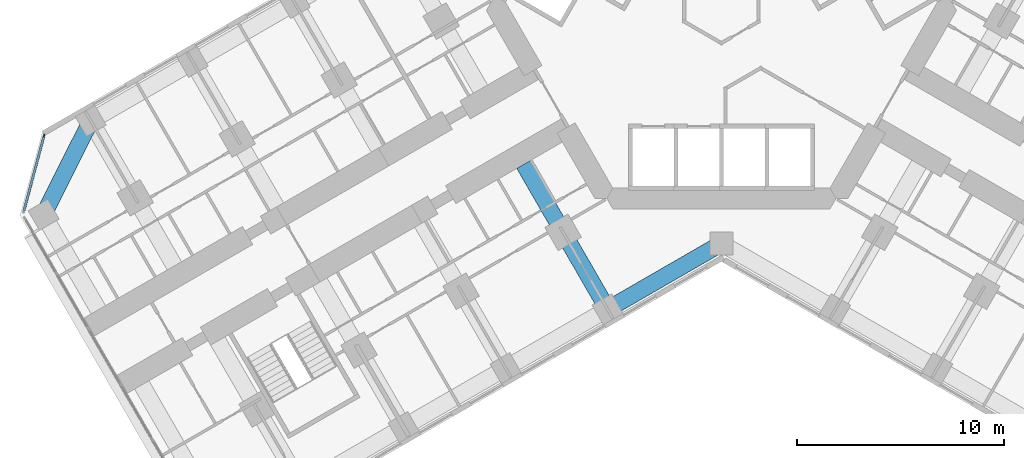
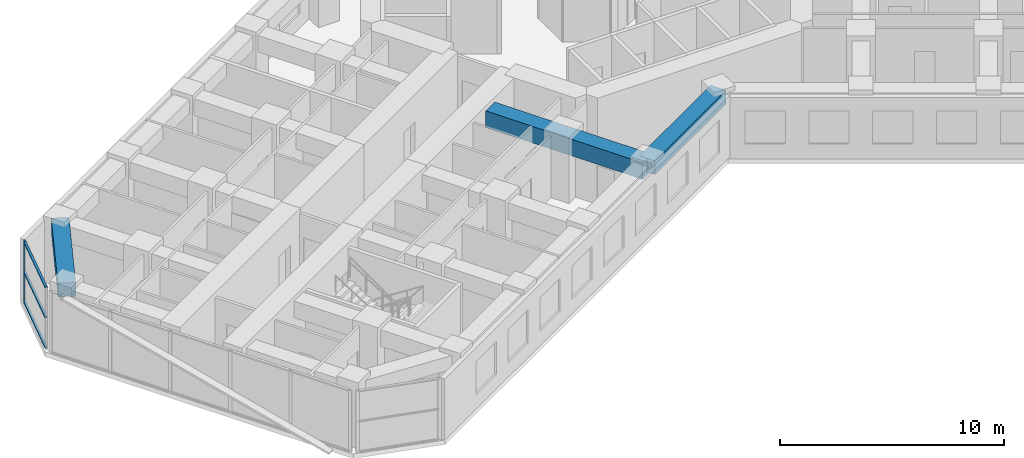
# One storey, part 3 of 21: 4 members, 3 beams, 1 element without a shape of its own.
"""IFC4 building model written with IfcOpenShell, lengths in metres."""

from ifc_helpers import new_model, si_unit, direction, frame, origin, origin_2d, place, context, subcontext, project, spatial, rectangle, extrude, material, material_profile, profile_set, type_object, element, aggregate, save


model = new_model("IFC4")

# Units and contexts
model_context = context("Model", 3, precision=1e-05, world=origin(), true_north=direction((0.0, 1.0)))
body_context = subcontext(model_context, "Body", "Model", "MODEL_VIEW")
ifc_project = project(units=[si_unit("LENGTHUNIT", "METRE"), si_unit("AREAUNIT", "SQUARE_METRE"), si_unit("VOLUMEUNIT", "CUBIC_METRE"), si_unit("PLANEANGLEUNIT", "RADIAN"), si_unit("MASSUNIT", "GRAM", prefix="KILO")], contexts=[model_context])

# Site, building, storey
site_placement = place(None, origin())
site = spatial("IfcSite", under=ifc_project, at=site_placement, CompositionType="ELEMENT")
building_placement = place(site_placement, origin())
building = spatial("IfcBuilding", under=site, at=building_placement, Name="Kosmar Iwan School Tower", CompositionType="ELEMENT")
storey_placement = place(building_placement, frame((0.0, 0.0, 43.0)))
storey = spatial("IfcBuildingStorey", under=building, at=storey_placement, Name="L09", CompositionType="ELEMENT", Elevation=43.0)

# Curtain wall, member
ifc_material_1 = material(Name="Dark glass in black aluminium frame", Category="aluminium")
curtain_wall_type = type_object("IfcCurtainWallType", Name="Chamfer curtain wall dark glass", PredefinedType="USERDEFINED", material=ifc_material_1)
curtain_wall_placement = place(storey_placement, origin())
curtain_wall = element("IfcCurtainWall", 1, at=curtain_wall_placement, inside=storey, type_object=curtain_wall_type, Name="Curtain wall L09-F12", ObjectType="FACETED CURTAIN WALL", PredefinedType="USERDEFINED")
ifc_material_2 = material(Name="Black anodised aluminium", Category="aluminium")
ifc_material_profile_1 = material_profile(ifc_material_2, rectangle(XDim=0.06005859375, YDim=0.159912109375, at=origin_2d()), Name="MULLION 60x160")
ifc_profile_set_1 = profile_set([ifc_material_profile_1], Name="Black anodised aluminium")
member_type_1 = type_object("IfcMemberType", Name="Mullion 60x160", PredefinedType="MULLION", material=ifc_profile_set_1)
member_1_placement = place(storey_placement, frame((-32.78076171875, -6.5732421875, 0.0), z_axis=(0.0, 0.0, 1.0), x_axis=(0.965925875495, -0.258818861462, 0.0)))
member_1 = element("IfcMember", 2, at=member_1_placement, type_object=member_type_1, Name="CW2 mullion 1", PredefinedType="MULLION", context=body_context, shape_type="SweptSolid", body=[
    extrude(rectangle(XDim=0.06005859375, YDim=0.159912109375, at=origin_2d()), origin(), (0.0, 0.0, 1.0), 3.35009765625),
])

# Beams
ifc_material_3 = material(Name="Concrete C50/60", Category="concrete")
ifc_material_profile_2 = material_profile(ifc_material_3, rectangle(XDim=0.800048828125, YDim=0.75, at=origin_2d()), Name="RC 800x750")
ifc_profile_set_2 = profile_set([ifc_material_profile_2], Name="Concrete C50/60")
beam_type_1 = type_object("IfcBeamType", Name="RC edge beam 800x750", PredefinedType="BEAM", material=ifc_profile_set_2)
beam_1_placement = place(storey_placement, frame((0.0, -11.77783203125, 2.97509765625), z_axis=(-0.866014293216, -0.500019243575, 0.0), x_axis=(0.500019243575, -0.866014293216, 0.0)))
element("IfcBeam", 3, at=beam_1_placement, inside=storey, type_object=beam_type_1, Name="Edge beam BL1", PredefinedType="BEAM", context=body_context, shape_type="SweptSolid", body=[
    extrude(rectangle(XDim=0.800048828125, YDim=0.75, at=origin_2d()), origin(), (0.0, 0.0, 1.0), 6.361083984375),
])
ifc_material_4 = material(Name="Concrete C50/60", Category="concrete")
ifc_material_profile_3 = material_profile(ifc_material_4, rectangle(XDim=0.800048828125, YDim=0.75, at=origin_2d()), Name="RC 800x750")
ifc_profile_set_3 = profile_set([ifc_material_profile_3], Name="Concrete C50/60")
beam_type_2 = type_object("IfcBeamType", Name="RC tip beam 800x750", PredefinedType="BEAM", material=ifc_profile_set_3)
beam_2_placement = place(storey_placement, frame((-30.517822265625, -5.841552734375, 2.97509765625), z_axis=(-0.44809604203, -0.893985423325, 0.0), x_axis=(0.893985423325, -0.44809604203, 0.0)))
element("IfcBeam", 4, at=beam_2_placement, inside=storey, type_object=beam_type_2, Name="Tip beam BR", PredefinedType="BEAM", context=body_context, shape_type="SweptSolid", body=[
    extrude(rectangle(XDim=0.800048828125, YDim=0.75, at=origin_2d()), origin(), (0.0, 0.0, 1.0), 5.08935546875),
])
ifc_material_5 = material(Name="Concrete C50/60", Category="concrete")
ifc_material_profile_4 = material_profile(ifc_material_5, rectangle(XDim=0.800048828125, YDim=0.89990234375, at=origin_2d()), Name="RC 800x900")
ifc_profile_set_4 = profile_set([ifc_material_profile_4], Name="Concrete C50/60")
beam_type_3 = type_object("IfcBeamType", Name="RC transverse beam 800x900", PredefinedType="BEAM", material=ifc_profile_set_4)
beam_3_placement = place(storey_placement, frame((-5.5087890625, -14.95849609375, 2.89990234375), z_axis=(-0.499999880539, 0.866025472755, 0.0), x_axis=(-0.866025472755, -0.499999880539, 0.0)))
element("IfcBeam", 5, at=beam_3_placement, inside=storey, type_object=beam_type_3, Name="Transverse beam BL1", PredefinedType="BEAM", context=body_context, shape_type="SweptSolid", body=[
    extrude(rectangle(XDim=0.800048828125, YDim=0.89990234375, at=origin_2d()), origin(), (0.0, 0.0, 1.0), 8.10009765625),
])

# Member
ifc_material_6 = material(Name="Black anodised aluminium", Category="aluminium")
ifc_material_profile_5 = material_profile(ifc_material_6, rectangle(XDim=0.1201171875, YDim=0.06005859375, at=origin_2d()), Name="TRANSOM 60x120")
ifc_profile_set_5 = profile_set([ifc_material_profile_5], Name="Black anodised aluminium")
member_type_2 = type_object("IfcMemberType", Name="Transom 60x120", PredefinedType="USERDEFINED", material=ifc_profile_set_5)
member_2_placement = place(storey_placement, frame((-32.788330078125, -6.602294921875, 0.030029296875), z_axis=(-0.258843273983, -0.965919333854, 0.0), x_axis=(0.965919333854, -0.258843273983, 0.0)))
member_2 = element("IfcMember", 6, at=member_2_placement, type_object=member_type_2, Name="CW2 transom 1.1", ObjectType="TRANSOM", PredefinedType="USERDEFINED", context=body_context, shape_type="SweptSolid", body=[
    extrude(rectangle(XDim=0.1201171875, YDim=0.06005859375, at=origin_2d()), origin(), (0.0, 0.0, 1.0), 3.718994140625),
])

member_3_placement = place(storey_placement, frame((-32.788330078125, -6.602294921875, 1.675048828125), z_axis=(-0.258843273983, -0.965919333854, 0.0), x_axis=(0.965919333854, -0.258843273983, 0.0)))
member_3 = element("IfcMember", 7, at=member_3_placement, type_object=member_type_2, Name="CW2 transom 1.2", ObjectType="TRANSOM", PredefinedType="USERDEFINED", context=body_context, shape_type="SweptSolid", body=[
    extrude(rectangle(XDim=0.1201171875, YDim=0.06005859375, at=origin_2d()), origin(), (0.0, 0.0, 1.0), 3.718994140625),
])

member_4_placement = place(storey_placement, frame((-32.788330078125, -6.602294921875, 3.320068359375), z_axis=(-0.258843273983, -0.965919333854, 0.0), x_axis=(0.965919333854, -0.258843273983, 0.0)))
member_4 = element("IfcMember", 8, at=member_4_placement, type_object=member_type_2, Name="CW2 transom 1.3", ObjectType="TRANSOM", PredefinedType="USERDEFINED", context=body_context, shape_type="SweptSolid", body=[
    extrude(rectangle(XDim=0.1201171875, YDim=0.06005859375, at=origin_2d()), origin(), (0.0, 0.0, 1.0), 3.718994140625),
])

aggregate(curtain_wall, [member_1, member_2, member_3, member_4])

save(model, "model.ifc")
